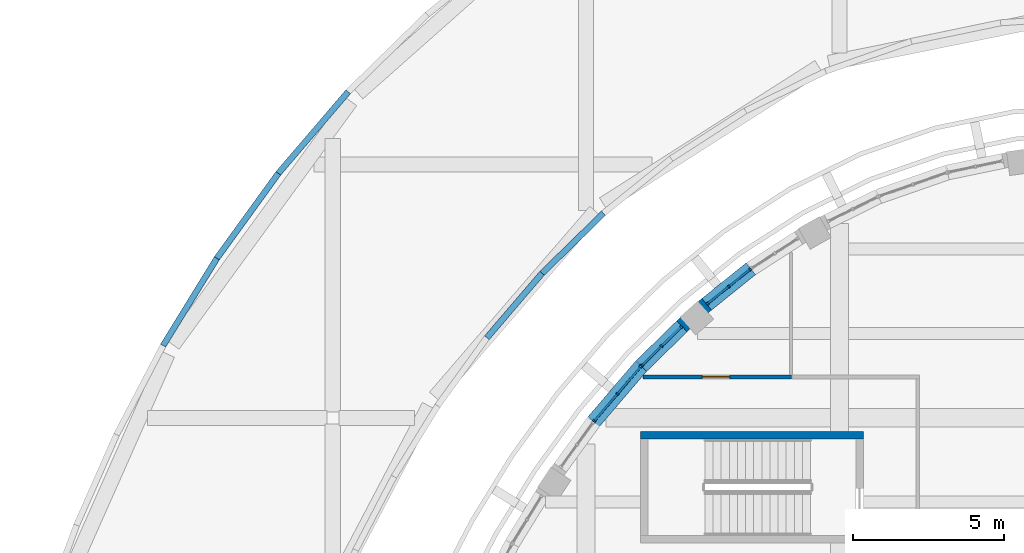
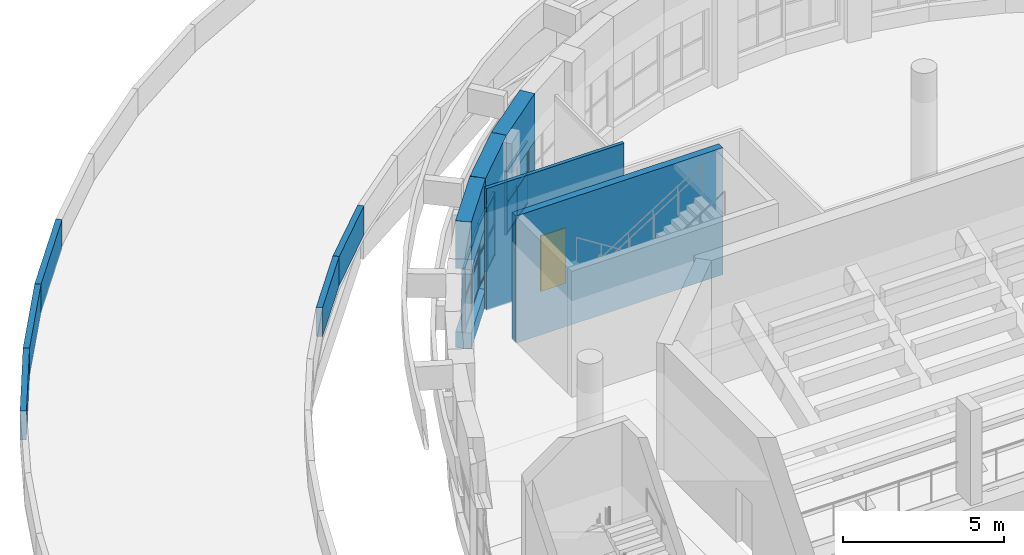
# One storey, part 30 of 79: 27 members, 12 plates, 10 walls, 1 door, 4 openings, 3 elements without a shape of their own.
"""IFC4 building model written with IfcOpenShell, lengths in metres."""

from ifc_helpers import new_model, si_unit, direction, frame, frame_2d, origin, origin_2d, place, context, subcontext, project, spatial, rectangle, extrude, material, layer, layer_set, material_profile, profile_set, type_object, element, fill, aggregate, save


model = new_model("IFC4")

# Units and contexts
model_context = context("Model", 3, precision=1e-05, world=origin(), true_north=direction((0.0, 1.0)))
body_context = subcontext(model_context, "Body", "Model", "MODEL_VIEW")
ifc_project = project(units=[si_unit("LENGTHUNIT", "METRE"), si_unit("AREAUNIT", "SQUARE_METRE"), si_unit("VOLUMEUNIT", "CUBIC_METRE"), si_unit("PLANEANGLEUNIT", "RADIAN"), si_unit("MASSUNIT", "GRAM", prefix="KILO")], contexts=[model_context])

# Site, building, storey
site_placement = place(None, origin())
site = spatial("IfcSite", under=ifc_project, at=site_placement, CompositionType="ELEMENT")
building_placement = place(site_placement, origin())
building = spatial("IfcBuilding", under=site, at=building_placement, Name="Larchfold Concert Hall", CompositionType="ELEMENT")
storey_placement = place(building_placement, frame((0.0, 0.0, 14.39990234375)))
storey = spatial("IfcBuildingStorey", under=building, at=storey_placement, Name="L03", CompositionType="ELEMENT", Elevation=14.39990234375)

# Curtain wall, members
ifc_material_1 = material(Name="Anodised graphite aluminium curtain wall", Category="aluminium")
ifc_layer_1 = layer(ifc_material_1, 0.10009765625)
ifc_layer_set_1 = layer_set([ifc_layer_1], Name="Anodised graphite aluminium curtain wall")
curtain_wall_type = type_object("IfcCurtainWallType", Name="Curtain wall GB", PredefinedType="NOTDEFINED", material=ifc_layer_set_1)
curtain_wall_1_placement = place(storey_placement, origin())
curtain_wall_1 = element("IfcCurtainWall", 1, at=curtain_wall_1_placement, inside=storey, type_object=curtain_wall_type, Name="Curtain wall CW0025", PredefinedType="NOTDEFINED")
ifc_material_2 = material(Name="Anodised graphite aluminium mullion", Category="aluminium")
ifc_material_profile_1 = material_profile(ifc_material_2, rectangle(XDim=0.10009765625, YDim=0.06005859375, at=origin_2d()))
ifc_profile_set_1 = profile_set([ifc_material_profile_1], Name="Anodised graphite aluminium mullion")
member_type_1 = type_object("IfcMemberType", Name="Aluminium mullion 60x100", PredefinedType="MULLION", material=ifc_profile_set_1)
member_1_placement = place(storey_placement, frame((31.24462890625, 114.725830078125, 0.60009765625), z_axis=(0.0, 0.0, 1.0), x_axis=(0.627017083295, -0.77900550528, 0.0)))
member_1 = element("IfcMember", 2, at=member_1_placement, type_object=member_type_1, Name="CW0025 mullion 1", PredefinedType="MULLION", context=body_context, shape_type="SweptSolid", body=[
    extrude(rectangle(XDim=0.10009765625, YDim=0.06005859375, at=origin_2d()), origin(), (0.0, 0.0, 1.0), 2.39990234375),
])
member_2_placement = place(storey_placement, frame((30.53466796875, 114.154296875, 0.60009765625), z_axis=(0.0, 0.0, 1.0), x_axis=(0.627017083295, -0.77900550528, 0.0)))
member_2 = element("IfcMember", 3, at=member_2_placement, type_object=member_type_1, Name="CW0025 mullion 2", PredefinedType="MULLION", context=body_context, shape_type="SweptSolid", body=[
    extrude(rectangle(XDim=0.10009765625, YDim=0.06005859375, at=origin_2d()), origin(), (0.0, 0.0, 1.0), 2.39990234375),
])
member_3_placement = place(storey_placement, frame((29.824951171875, 113.5830078125, 0.60009765625), z_axis=(0.0, 0.0, 1.0), x_axis=(0.627017083295, -0.77900550528, 0.0)))
member_3 = element("IfcMember", 4, at=member_3_placement, type_object=member_type_1, Name="CW0025 mullion 3", PredefinedType="MULLION", context=body_context, shape_type="SweptSolid", body=[
    extrude(rectangle(XDim=0.10009765625, YDim=0.06005859375, at=origin_2d()), origin(), (0.0, 0.0, 1.0), 2.39990234375),
])

curtain_wall_2_placement = place(storey_placement, origin())
curtain_wall_2 = element("IfcCurtainWall", 5, at=curtain_wall_2_placement, inside=storey, type_object=curtain_wall_type, Name="Curtain wall CW0026", PredefinedType="NOTDEFINED")
member_4_placement = place(storey_placement, frame((28.957275390625, 112.81298828125, 0.60009765625), z_axis=(0.0, 0.0, 1.0), x_axis=(0.699151518277, -0.714973534119, 0.0)))
member_4 = element("IfcMember", 6, at=member_4_placement, type_object=member_type_1, Name="CW0026 mullion 1", PredefinedType="MULLION", context=body_context, shape_type="SweptSolid", body=[
    extrude(rectangle(XDim=0.10009765625, YDim=0.06005859375, at=origin_2d()), origin(), (0.0, 0.0, 1.0), 2.39990234375),
])
member_5_placement = place(storey_placement, frame((28.305908203125, 112.17578125, 0.60009765625), z_axis=(0.0, 0.0, 1.0), x_axis=(0.699151518277, -0.714973534119, 0.0)))
member_5 = element("IfcMember", 7, at=member_5_placement, type_object=member_type_1, Name="CW0026 mullion 2", PredefinedType="MULLION", context=body_context, shape_type="SweptSolid", body=[
    extrude(rectangle(XDim=0.10009765625, YDim=0.06005859375, at=origin_2d()), origin(), (0.0, 0.0, 1.0), 2.39990234375),
])
member_6_placement = place(storey_placement, frame((27.654296875, 111.538818359375, 0.60009765625), z_axis=(0.0, 0.0, 1.0), x_axis=(0.699151518277, -0.714973534119, 0.0)))
member_6 = element("IfcMember", 8, at=member_6_placement, type_object=member_type_1, Name="CW0026 mullion 3", PredefinedType="MULLION", context=body_context, shape_type="SweptSolid", body=[
    extrude(rectangle(XDim=0.10009765625, YDim=0.06005859375, at=origin_2d()), origin(), (0.0, 0.0, 1.0), 2.39990234375),
])

curtain_wall_3_placement = place(storey_placement, origin())
curtain_wall_3 = element("IfcCurtainWall", 9, at=curtain_wall_3_placement, inside=storey, type_object=curtain_wall_type, Name="Curtain wall CW0027", PredefinedType="NOTDEFINED")
member_7_placement = place(storey_placement, frame((27.61328125, 111.4951171875, 0.60009765625), z_axis=(0.0, 0.0, 1.0), x_axis=(0.759483179881, -0.650526939856, 0.0)))
member_7 = element("IfcMember", 10, at=member_7_placement, type_object=member_type_1, Name="CW0027 mullion 1", PredefinedType="MULLION", context=body_context, shape_type="SweptSolid", body=[
    extrude(rectangle(XDim=0.10009765625, YDim=0.06005859375, at=origin_2d()), origin(), (0.0, 0.0, 1.0), 2.39990234375),
])
member_8_placement = place(storey_placement, frame((26.84130859375, 110.59375, 0.60009765625), z_axis=(0.0, 0.0, 1.0), x_axis=(0.759483179881, -0.650526939856, 0.0)))
member_8 = element("IfcMember", 11, at=member_8_placement, type_object=member_type_1, Name="CW0027 mullion 2", PredefinedType="MULLION", context=body_context, shape_type="SweptSolid", body=[
    extrude(rectangle(XDim=0.10009765625, YDim=0.06005859375, at=origin_2d()), origin(), (0.0, 0.0, 1.0), 2.39990234375),
])
member_9_placement = place(storey_placement, frame((26.0693359375, 109.6923828125, 0.60009765625), z_axis=(0.0, 0.0, 1.0), x_axis=(0.759483179881, -0.650526939856, 0.0)))
member_9 = element("IfcMember", 12, at=member_9_placement, type_object=member_type_1, Name="CW0027 mullion 3", PredefinedType="MULLION", context=body_context, shape_type="SweptSolid", body=[
    extrude(rectangle(XDim=0.10009765625, YDim=0.06005859375, at=origin_2d()), origin(), (0.0, 0.0, 1.0), 2.39990234375),
])

# Member
ifc_material_3 = material(Name="Anodised graphite aluminium transom", Category="aluminium")
ifc_material_profile_2 = material_profile(ifc_material_3, rectangle(XDim=0.080078125, YDim=0.06005859375, at=origin_2d()))
ifc_profile_set_2 = profile_set([ifc_material_profile_2], Name="Anodised graphite aluminium transom")
member_type_2 = type_object("IfcMemberType", Name="Aluminium transom 60x80", PredefinedType="USERDEFINED", material=ifc_profile_set_2)
member_10_placement = place(storey_placement, frame((31.221435546875, 114.70703125, 0.630126953125), z_axis=(-0.779131241364, -0.626860836813, 0.0), x_axis=(0.626860836813, -0.779131241364, 0.0)))
member_10 = element("IfcMember", 13, at=member_10_placement, type_object=member_type_2, Name="CW0025 transom 1.1", ObjectType="TRANSOM", PredefinedType="USERDEFINED", context=body_context, shape_type="SweptSolid", body=[
    extrude(rectangle(XDim=0.080078125, YDim=0.06005859375, at=origin_2d()), origin(), (0.0, 0.0, 1.0), 0.851318359375),
])

member_11_placement = place(storey_placement, frame((31.221435546875, 114.70703125, 1.800048828125), z_axis=(-0.779131241364, -0.626860836813, 0.0), x_axis=(0.626860836813, -0.779131241364, 0.0)))
member_11 = element("IfcMember", 14, at=member_11_placement, type_object=member_type_2, Name="CW0025 transom 1.2", ObjectType="TRANSOM", PredefinedType="USERDEFINED", context=body_context, shape_type="SweptSolid", body=[
    extrude(rectangle(XDim=0.080078125, YDim=0.06005859375, at=origin_2d()), origin(), (0.0, 0.0, 1.0), 0.851318359375),
])

member_12_placement = place(storey_placement, frame((31.221435546875, 114.70703125, 2.969970703125), z_axis=(-0.779131241364, -0.626860836813, 0.0), x_axis=(0.626860836813, -0.779131241364, 0.0)))
member_12 = element("IfcMember", 15, at=member_12_placement, type_object=member_type_2, Name="CW0025 transom 1.3", ObjectType="TRANSOM", PredefinedType="USERDEFINED", context=body_context, shape_type="SweptSolid", body=[
    extrude(rectangle(XDim=0.080078125, YDim=0.06005859375, at=origin_2d()), origin(), (0.0, 0.0, 1.0), 0.851318359375),
])

member_13_placement = place(storey_placement, frame((30.511474609375, 114.135498046875, 0.630126953125), z_axis=(-0.779131241364, -0.626860836813, 0.0), x_axis=(0.626860836813, -0.779131241364, 0.0)))
member_13 = element("IfcMember", 16, at=member_13_placement, type_object=member_type_2, Name="CW0025 transom 2.1", ObjectType="TRANSOM", PredefinedType="USERDEFINED", context=body_context, shape_type="SweptSolid", body=[
    extrude(rectangle(XDim=0.080078125, YDim=0.06005859375, at=origin_2d()), origin(), (0.0, 0.0, 1.0), 0.851318359375),
])

member_14_placement = place(storey_placement, frame((30.511474609375, 114.135498046875, 1.800048828125), z_axis=(-0.779131241364, -0.626860836813, 0.0), x_axis=(0.626860836813, -0.779131241364, 0.0)))
member_14 = element("IfcMember", 17, at=member_14_placement, type_object=member_type_2, Name="CW0025 transom 2.2", ObjectType="TRANSOM", PredefinedType="USERDEFINED", context=body_context, shape_type="SweptSolid", body=[
    extrude(rectangle(XDim=0.080078125, YDim=0.06005859375, at=origin_2d()), origin(), (0.0, 0.0, 1.0), 0.851318359375),
])

member_15_placement = place(storey_placement, frame((30.511474609375, 114.135498046875, 2.969970703125), z_axis=(-0.779131241364, -0.626860836813, 0.0), x_axis=(0.626860836813, -0.779131241364, 0.0)))
member_15 = element("IfcMember", 18, at=member_15_placement, type_object=member_type_2, Name="CW0025 transom 2.3", ObjectType="TRANSOM", PredefinedType="USERDEFINED", context=body_context, shape_type="SweptSolid", body=[
    extrude(rectangle(XDim=0.080078125, YDim=0.06005859375, at=origin_2d()), origin(), (0.0, 0.0, 1.0), 0.851318359375),
])

member_16_placement = place(storey_placement, frame((28.935791015625, 112.7919921875, 0.630126953125), z_axis=(-0.714949324544, -0.699176274865, 0.0), x_axis=(0.699176274865, -0.714949324544, 0.0)))
member_16 = element("IfcMember", 19, at=member_16_placement, type_object=member_type_2, Name="CW0026 transom 1.1", ObjectType="TRANSOM", PredefinedType="USERDEFINED", context=body_context, shape_type="SweptSolid", body=[
    extrude(rectangle(XDim=0.080078125, YDim=0.06005859375, at=origin_2d()), origin(), (0.0, 0.0, 1.0), 0.851318359375),
])

member_17_placement = place(storey_placement, frame((28.935791015625, 112.7919921875, 1.800048828125), z_axis=(-0.714949324544, -0.699176274865, 0.0), x_axis=(0.699176274865, -0.714949324544, 0.0)))
member_17 = element("IfcMember", 20, at=member_17_placement, type_object=member_type_2, Name="CW0026 transom 1.2", ObjectType="TRANSOM", PredefinedType="USERDEFINED", context=body_context, shape_type="SweptSolid", body=[
    extrude(rectangle(XDim=0.080078125, YDim=0.06005859375, at=origin_2d()), origin(), (0.0, 0.0, 1.0), 0.851318359375),
])

member_18_placement = place(storey_placement, frame((28.935791015625, 112.7919921875, 2.969970703125), z_axis=(-0.714949324544, -0.699176274865, 0.0), x_axis=(0.699176274865, -0.714949324544, 0.0)))
member_18 = element("IfcMember", 21, at=member_18_placement, type_object=member_type_2, Name="CW0026 transom 1.3", ObjectType="TRANSOM", PredefinedType="USERDEFINED", context=body_context, shape_type="SweptSolid", body=[
    extrude(rectangle(XDim=0.080078125, YDim=0.06005859375, at=origin_2d()), origin(), (0.0, 0.0, 1.0), 0.851318359375),
])

member_19_placement = place(storey_placement, frame((28.284423828125, 112.155029296875, 0.630126953125), z_axis=(-0.714949324544, -0.699176274865, 0.0), x_axis=(0.699176274865, -0.714949324544, 0.0)))
member_19 = element("IfcMember", 22, at=member_19_placement, type_object=member_type_2, Name="CW0026 transom 2.1", ObjectType="TRANSOM", PredefinedType="USERDEFINED", context=body_context, shape_type="SweptSolid", body=[
    extrude(rectangle(XDim=0.080078125, YDim=0.06005859375, at=origin_2d()), origin(), (0.0, 0.0, 1.0), 0.851318359375),
])

member_20_placement = place(storey_placement, frame((28.284423828125, 112.155029296875, 1.800048828125), z_axis=(-0.714949324544, -0.699176274865, 0.0), x_axis=(0.699176274865, -0.714949324544, 0.0)))
member_20 = element("IfcMember", 23, at=member_20_placement, type_object=member_type_2, Name="CW0026 transom 2.2", ObjectType="TRANSOM", PredefinedType="USERDEFINED", context=body_context, shape_type="SweptSolid", body=[
    extrude(rectangle(XDim=0.080078125, YDim=0.06005859375, at=origin_2d()), origin(), (0.0, 0.0, 1.0), 0.851318359375),
])

member_21_placement = place(storey_placement, frame((28.284423828125, 112.155029296875, 2.969970703125), z_axis=(-0.714949324544, -0.699176274865, 0.0), x_axis=(0.699176274865, -0.714949324544, 0.0)))
member_21 = element("IfcMember", 24, at=member_21_placement, type_object=member_type_2, Name="CW0026 transom 2.3", ObjectType="TRANSOM", PredefinedType="USERDEFINED", context=body_context, shape_type="SweptSolid", body=[
    extrude(rectangle(XDim=0.080078125, YDim=0.06005859375, at=origin_2d()), origin(), (0.0, 0.0, 1.0), 0.851318359375),
])

member_22_placement = place(storey_placement, frame((27.59375, 111.47216796875, 0.630126953125), z_axis=(-0.650505805434, -0.759501281827, 0.0), x_axis=(0.759501281827, -0.650505805434, 0.0)))
member_22 = element("IfcMember", 25, at=member_22_placement, type_object=member_type_2, Name="CW0027 transom 1.1", ObjectType="TRANSOM", PredefinedType="USERDEFINED", context=body_context, shape_type="SweptSolid", body=[
    extrude(rectangle(XDim=0.080078125, YDim=0.06005859375, at=origin_2d()), origin(), (0.0, 0.0, 1.0), 1.126708984375),
])

member_23_placement = place(storey_placement, frame((27.59375, 111.47216796875, 1.800048828125), z_axis=(-0.650505805434, -0.759501281827, 0.0), x_axis=(0.759501281827, -0.650505805434, 0.0)))
member_23 = element("IfcMember", 26, at=member_23_placement, type_object=member_type_2, Name="CW0027 transom 1.2", ObjectType="TRANSOM", PredefinedType="USERDEFINED", context=body_context, shape_type="SweptSolid", body=[
    extrude(rectangle(XDim=0.080078125, YDim=0.06005859375, at=origin_2d()), origin(), (0.0, 0.0, 1.0), 1.126708984375),
])

member_24_placement = place(storey_placement, frame((27.59375, 111.47216796875, 2.969970703125), z_axis=(-0.650505805434, -0.759501281827, 0.0), x_axis=(0.759501281827, -0.650505805434, 0.0)))
member_24 = element("IfcMember", 27, at=member_24_placement, type_object=member_type_2, Name="CW0027 transom 1.3", ObjectType="TRANSOM", PredefinedType="USERDEFINED", context=body_context, shape_type="SweptSolid", body=[
    extrude(rectangle(XDim=0.080078125, YDim=0.06005859375, at=origin_2d()), origin(), (0.0, 0.0, 1.0), 1.126708984375),
])

member_25_placement = place(storey_placement, frame((26.82177734375, 110.571044921875, 0.630126953125), z_axis=(-0.650505805434, -0.759501281827, 0.0), x_axis=(0.759501281827, -0.650505805434, 0.0)))
member_25 = element("IfcMember", 28, at=member_25_placement, type_object=member_type_2, Name="CW0027 transom 2.1", ObjectType="TRANSOM", PredefinedType="USERDEFINED", context=body_context, shape_type="SweptSolid", body=[
    extrude(rectangle(XDim=0.080078125, YDim=0.06005859375, at=origin_2d()), origin(), (0.0, 0.0, 1.0), 1.126708984375),
])

member_26_placement = place(storey_placement, frame((26.82177734375, 110.571044921875, 1.800048828125), z_axis=(-0.650505805434, -0.759501281827, 0.0), x_axis=(0.759501281827, -0.650505805434, 0.0)))
member_26 = element("IfcMember", 29, at=member_26_placement, type_object=member_type_2, Name="CW0027 transom 2.2", ObjectType="TRANSOM", PredefinedType="USERDEFINED", context=body_context, shape_type="SweptSolid", body=[
    extrude(rectangle(XDim=0.080078125, YDim=0.06005859375, at=origin_2d()), origin(), (0.0, 0.0, 1.0), 1.126708984375),
])

member_27_placement = place(storey_placement, frame((26.82177734375, 110.571044921875, 2.969970703125), z_axis=(-0.650505805434, -0.759501281827, 0.0), x_axis=(0.759501281827, -0.650505805434, 0.0)))
member_27 = element("IfcMember", 30, at=member_27_placement, type_object=member_type_2, Name="CW0027 transom 2.3", ObjectType="TRANSOM", PredefinedType="USERDEFINED", context=body_context, shape_type="SweptSolid", body=[
    extrude(rectangle(XDim=0.080078125, YDim=0.06005859375, at=origin_2d()), origin(), (0.0, 0.0, 1.0), 1.126708984375),
])

# Plate
ifc_material_4 = material(Name="Insulated glazing unit, glass", Category="glass")
ifc_layer_2 = layer(ifc_material_4, 0.02392578125)
ifc_layer_set_2 = layer_set([ifc_layer_2], Name="Insulated glazing unit, glass")
plate_type_1 = type_object("IfcPlateType", Name="Glass panel 24", PredefinedType="CURTAIN_PANEL", material=ifc_layer_set_2)
plate_1_placement = place(storey_placement, frame((30.8896484375, 114.440185546875, 1.830078125), z_axis=(0.0, 0.0, 1.0), x_axis=(-0.77900550528, -0.627017083295, 0.0)))
plate_1 = element("IfcPlate", 31, at=plate_1_placement, type_object=plate_type_1, Name="CW0025 panel 1.2", PredefinedType="CURTAIN_PANEL", context=body_context, shape_type="SweptSolid", body=[
    extrude(rectangle(XDim=0.851318359375, YDim=0.02392578125, at=origin_2d()), origin(), (0.0, 0.0, 1.0), 1.10986328125),
])

plate_2_placement = place(storey_placement, frame((30.179931640625, 113.86865234375, 1.830078125), z_axis=(0.0, 0.0, 1.0), x_axis=(-0.77900550528, -0.627017083295, 0.0)))
plate_2 = element("IfcPlate", 32, at=plate_2_placement, type_object=plate_type_1, Name="CW0025 panel 2.2", PredefinedType="CURTAIN_PANEL", context=body_context, shape_type="SweptSolid", body=[
    extrude(rectangle(XDim=0.851318359375, YDim=0.02392578125, at=origin_2d()), origin(), (0.0, 0.0, 1.0), 1.10986328125),
])

plate_3_placement = place(storey_placement, frame((28.631591796875, 112.494384765625, 1.830078125), z_axis=(0.0, 0.0, 1.0), x_axis=(-0.714973534119, -0.699151518277, 0.0)))
plate_3 = element("IfcPlate", 33, at=plate_3_placement, type_object=plate_type_1, Name="CW0026 panel 1.2", PredefinedType="CURTAIN_PANEL", context=body_context, shape_type="SweptSolid", body=[
    extrude(rectangle(XDim=0.851318359375, YDim=0.02392578125, at=origin_2d()), origin(), (0.0, 0.0, 1.0), 1.10986328125),
])

plate_4_placement = place(storey_placement, frame((27.97998046875, 111.857421875, 1.830078125), z_axis=(0.0, 0.0, 1.0), x_axis=(-0.714973534119, -0.699151518277, 0.0)))
plate_4 = element("IfcPlate", 34, at=plate_4_placement, type_object=plate_type_1, Name="CW0026 panel 2.2", PredefinedType="CURTAIN_PANEL", context=body_context, shape_type="SweptSolid", body=[
    extrude(rectangle(XDim=0.851318359375, YDim=0.02392578125, at=origin_2d()), origin(), (0.0, 0.0, 1.0), 1.10986328125),
])

plate_5_placement = place(storey_placement, frame((27.227294921875, 111.04443359375, 1.830078125), z_axis=(0.0, 0.0, 1.0), x_axis=(-0.650526939856, -0.759483179881, 0.0)))
plate_5 = element("IfcPlate", 35, at=plate_5_placement, type_object=plate_type_1, Name="CW0027 panel 1.2", PredefinedType="CURTAIN_PANEL", context=body_context, shape_type="SweptSolid", body=[
    extrude(rectangle(XDim=1.126708984375, YDim=0.02392578125, at=origin_2d()), origin(), (0.0, 0.0, 1.0), 1.10986328125),
])

plate_6_placement = place(storey_placement, frame((26.455322265625, 110.14306640625, 1.830078125), z_axis=(0.0, 0.0, 1.0), x_axis=(-0.650526939856, -0.759483179881, 0.0)))
plate_6 = element("IfcPlate", 36, at=plate_6_placement, type_object=plate_type_1, Name="CW0027 panel 2.2", PredefinedType="CURTAIN_PANEL", context=body_context, shape_type="SweptSolid", body=[
    extrude(rectangle(XDim=1.126708984375, YDim=0.02392578125, at=origin_2d()), origin(), (0.0, 0.0, 1.0), 1.10986328125),
])

ifc_material_5 = material(Name="White insulated panel")
ifc_layer_3 = layer(ifc_material_5, 0.050048828125)
ifc_layer_set_3 = layer_set([ifc_layer_3], Name="White insulated panel")
plate_type_2 = type_object("IfcPlateType", Name="Insulated spandrel panel 50", PredefinedType="CURTAIN_PANEL", material=ifc_layer_set_3)
plate_7_placement = place(storey_placement, frame((30.8896484375, 114.440185546875, 0.66015625), z_axis=(0.0, 0.0, 1.0), x_axis=(-0.77900550528, -0.627017083295, 0.0)))
plate_7 = element("IfcPlate", 37, at=plate_7_placement, type_object=plate_type_2, Name="CW0025 panel 1.1", PredefinedType="CURTAIN_PANEL", context=body_context, shape_type="SweptSolid", body=[
    extrude(rectangle(XDim=0.851318359375, YDim=0.050048828125, at=origin_2d()), origin(), (0.0, 0.0, 1.0), 1.10986328125),
])

plate_8_placement = place(storey_placement, frame((30.179931640625, 113.86865234375, 0.66015625), z_axis=(0.0, 0.0, 1.0), x_axis=(-0.77900550528, -0.627017083295, 0.0)))
plate_8 = element("IfcPlate", 38, at=plate_8_placement, type_object=plate_type_2, Name="CW0025 panel 2.1", PredefinedType="CURTAIN_PANEL", context=body_context, shape_type="SweptSolid", body=[
    extrude(rectangle(XDim=0.851318359375, YDim=0.050048828125, at=origin_2d()), origin(), (0.0, 0.0, 1.0), 1.10986328125),
])

aggregate(curtain_wall_1, [member_1, member_2, member_3, member_10, member_11, member_12, plate_7, plate_1, member_13, member_14, member_15, plate_8, plate_2])

plate_9_placement = place(storey_placement, frame((28.631591796875, 112.494384765625, 0.66015625), z_axis=(0.0, 0.0, 1.0), x_axis=(-0.714973534119, -0.699151518277, 0.0)))
plate_9 = element("IfcPlate", 39, at=plate_9_placement, type_object=plate_type_2, Name="CW0026 panel 1.1", PredefinedType="CURTAIN_PANEL", context=body_context, shape_type="SweptSolid", body=[
    extrude(rectangle(XDim=0.851318359375, YDim=0.050048828125, at=origin_2d()), origin(), (0.0, 0.0, 1.0), 1.10986328125),
])

plate_10_placement = place(storey_placement, frame((27.97998046875, 111.857421875, 0.66015625), z_axis=(0.0, 0.0, 1.0), x_axis=(-0.714973534119, -0.699151518277, 0.0)))
plate_10 = element("IfcPlate", 40, at=plate_10_placement, type_object=plate_type_2, Name="CW0026 panel 2.1", PredefinedType="CURTAIN_PANEL", context=body_context, shape_type="SweptSolid", body=[
    extrude(rectangle(XDim=0.851318359375, YDim=0.050048828125, at=origin_2d()), origin(), (0.0, 0.0, 1.0), 1.10986328125),
])

aggregate(curtain_wall_2, [member_4, member_5, member_6, member_16, member_17, member_18, plate_9, plate_3, member_19, member_20, member_21, plate_10, plate_4])

plate_11_placement = place(storey_placement, frame((27.227294921875, 111.04443359375, 0.66015625), z_axis=(0.0, 0.0, 1.0), x_axis=(-0.650526939856, -0.759483179881, 0.0)))
plate_11 = element("IfcPlate", 41, at=plate_11_placement, type_object=plate_type_2, Name="CW0027 panel 1.1", PredefinedType="CURTAIN_PANEL", context=body_context, shape_type="SweptSolid", body=[
    extrude(rectangle(XDim=1.126708984375, YDim=0.050048828125, at=origin_2d()), origin(), (0.0, 0.0, 1.0), 1.10986328125),
])

plate_12_placement = place(storey_placement, frame((26.455322265625, 110.14306640625, 0.66015625), z_axis=(0.0, 0.0, 1.0), x_axis=(-0.650526939856, -0.759483179881, 0.0)))
plate_12 = element("IfcPlate", 42, at=plate_12_placement, type_object=plate_type_2, Name="CW0027 panel 2.1", PredefinedType="CURTAIN_PANEL", context=body_context, shape_type="SweptSolid", body=[
    extrude(rectangle(XDim=1.126708984375, YDim=0.050048828125, at=origin_2d()), origin(), (0.0, 0.0, 1.0), 1.10986328125),
])

aggregate(curtain_wall_3, [member_7, member_8, member_9, member_22, member_23, member_24, plate_11, plate_5, member_25, member_26, member_27, plate_12, plate_6])

# Wall, opening, door
ifc_material_6 = material(Name="Plasterboard partition on steel studs", Category="steel")
ifc_layer_4 = layer(ifc_material_6, 0.125)
ifc_layer_set_4 = layer_set([ifc_layer_4], Name="Plasterboard partition on steel studs")
wall_type_1 = type_object("IfcWallType", Name="Corridor partition 125 EI 60", PredefinedType="PARTITIONING", material=ifc_layer_set_4)
wall_1_placement = place(storey_placement, frame((27.69091796875, 111.14892578125, 0.0), z_axis=(0.0, 0.0, 1.0), x_axis=(1.0, 0.0, 0.0)))
wall_1 = element("IfcWall", 43, at=wall_1_placement, inside=storey, type_object=wall_type_1, Name="Partition IW0001", PredefinedType="PARTITIONING", context=body_context, shape_type="SweptSolid", body=[
    extrude(rectangle(XDim=4.92919921875, YDim=0.125, at=frame_2d((2.464599609375, 0.0))), origin(), (0.0, 0.0, 1.0), 4.60009765625),
])
opening_1_placement = place(wall_1_placement, frame((1.969970703125, 0.0, 0.0)))
opening_1 = element("IfcOpeningElement", 44, at=opening_1_placement, cuts=wall_1, Name="Opening D-L03-103", PredefinedType="OPENING", context=body_context, shape_type="SweptSolid", body=[
    extrude(rectangle(XDim=0.89990234375, YDim=2.10009765625, at=frame_2d((0.449951171875, 1.050048828125))), frame((0.0, 0.072509765625, 0.0), z_axis=(0.0, -1.0, 0.0), x_axis=(1.0, 0.0, 0.0)), (0.0, 0.0, 1.0), 0.14501953125),
])
ifc_material_7 = material(Name="Timber door leaf", Category="wood")
door_type = type_object("IfcDoorType", Name="Public toilet door 900 x 2100 FD30S", OperationType="SINGLE_SWING_LEFT", PredefinedType="DOOR", material=ifc_material_7)
door_placement = place(opening_1_placement, origin())
door = element("IfcDoor", 45, at=door_placement, inside=storey, type_object=door_type, Name="Door D-L03-103", OperationType="SINGLE_SWING_RIGHT", OverallHeight=2.10009765625, OverallWidth=0.89990234375, PredefinedType="DOOR", context=body_context, shape_type="SweptSolid", body=[
    extrude(rectangle(XDim=0.89990234375, YDim=2.10009765625, at=frame_2d((0.449951171875, 1.050048828125))), frame((0.0, 0.02490234375, 0.0), z_axis=(0.0, -1.0, 0.0), x_axis=(1.0, 0.0, 0.0)), (0.0, 0.0, 1.0), 0.050048828125),
])
fill(opening_1, door)

# Walls
ifc_material_8 = material(Name="White render on insulated block")
ifc_layer_5 = layer(ifc_material_8, 0.199951171875)
ifc_layer_set_5 = layer_set([ifc_layer_5], Name="White render on insulated block")
wall_type_2 = type_object("IfcWallType", Name="Roof parapet 200", PredefinedType="PARAPET", material=ifc_layer_set_5)
wall_2_placement = place(storey_placement, frame((22.510498046875, 112.45458984375, 0.0), z_axis=(0.0, 0.0, 1.0), x_axis=(0.650448482504, 0.759550374635, 0.0)))
element("IfcWall", 46, at=wall_2_placement, inside=storey, type_object=wall_type_2, Name="Parapet PW0032", PredefinedType="PARAPET", context=body_context, shape_type="SweptSolid", body=[
    extrude(rectangle(XDim=2.815185546875, YDim=0.199951171875, at=frame_2d((1.40771484375, 0.0))), origin(), (0.0, 0.0, 1.0), 1.10009765625),
])
wall_3_placement = place(storey_placement, frame((24.341552734375, 114.5927734375, 0.0), z_axis=(0.0, 0.0, 1.0), x_axis=(0.714903860366, 0.699222761667, 0.0)))
element("IfcWall", 47, at=wall_3_placement, inside=storey, type_object=wall_type_2, Name="Parapet PW0033", PredefinedType="PARAPET", context=body_context, shape_type="SweptSolid", body=[
    extrude(rectangle(XDim=2.84912109375, YDim=0.199951171875, at=frame_2d((1.424560546875, 0.0))), origin(), (0.0, 0.0, 1.0), 1.10009765625),
])
wall_4_placement = place(storey_placement, frame((17.910888671875, 120.613037109375, 0.0), z_axis=(0.0, 0.0, 1.0), x_axis=(-0.650480888569, -0.759522622182, 0.0)))
element("IfcWall", 48, at=wall_4_placement, inside=storey, type_object=wall_type_2, Name="Parapet PW0050", PredefinedType="PARAPET", context=body_context, shape_type="SweptSolid", body=[
    extrude(rectangle(XDim=3.562255859375, YDim=0.199951171875, at=frame_2d((1.78125, 0.0))), origin(), (0.0, 0.0, 1.0), 1.10009765625),
])
wall_5_placement = place(storey_placement, frame((15.59375, 117.907470703125, 0.0), z_axis=(0.0, 0.0, 1.0), x_axis=(-0.586541591584, -0.8099191079, 0.0)))
element("IfcWall", 49, at=wall_5_placement, inside=storey, type_object=wall_type_2, Name="Parapet PW0051", PredefinedType="PARAPET", context=body_context, shape_type="SweptSolid", body=[
    extrude(rectangle(XDim=3.4755859375, YDim=0.199951171875, at=frame_2d((1.73779296875, 0.0))), origin(), (0.0, 0.0, 1.0), 1.10009765625),
])
wall_6_placement = place(storey_placement, frame((13.55517578125, 115.092529296875, 0.0), z_axis=(0.0, 0.0, 1.0), x_axis=(-0.524009288501, -0.851712548671, 0.0)))
element("IfcWall", 50, at=wall_6_placement, inside=storey, type_object=wall_type_2, Name="Parapet PW0052", PredefinedType="PARAPET", context=body_context, shape_type="SweptSolid", body=[
    extrude(rectangle(XDim=3.400146484375, YDim=0.199951171875, at=frame_2d((1.7001953125, 0.0))), origin(), (0.0, 0.0, 1.0), 1.10009765625),
])
ifc_material_9 = material(Name="Concrete C40/50", Category="concrete")
ifc_layer_6 = layer(ifc_material_9, 0.25)
ifc_layer_set_6 = layer_set([ifc_layer_6], Name="Concrete C40/50")
wall_type_3 = type_object("IfcWallType", Name="Wall RC 250 stair core", PredefinedType="SOLIDWALL", material=ifc_layer_set_6)
wall_7_placement = place(storey_placement, frame((27.60009765625, 109.22509765625, 0.0), z_axis=(0.0, 0.0, 1.0), x_axis=(1.0, 0.0, 0.0)))
element("IfcWall", 51, at=wall_7_placement, inside=storey, type_object=wall_type_3, Name="Wall W0039", PredefinedType="SOLIDWALL", context=body_context, shape_type="SweptSolid", body=[
    extrude(rectangle(XDim=7.39990234375, YDim=0.25, at=frame_2d((3.699951171875, 0.0))), origin(), (0.0, 0.0, 1.0), 4.800048828125),
])

# Wall, opening
ifc_material_10 = material(Name="Concrete C30/37", Category="concrete")
ifc_layer_7 = layer(ifc_material_10, 0.5)
ifc_layer_set_7 = layer_set([ifc_layer_7], Name="Concrete C30/37")
wall_type_4 = type_object("IfcWallType", Name="Wall RC 500 drum facade", PredefinedType="SOLIDWALL", material=ifc_layer_set_7)
wall_8_placement = place(storey_placement, frame((31.26806640625, 114.74462890625, 0.0), z_axis=(0.0, 0.0, 1.0), x_axis=(-0.779015271296, -0.627004949811, 0.0)))
wall_8 = element("IfcWall", 52, at=wall_8_placement, inside=storey, type_object=wall_type_4, Name="Wall DW025", PredefinedType="SOLIDWALL", context=body_context, shape_type="SweptSolid", body=[
    extrude(rectangle(XDim=2.43310546875, YDim=0.5, at=frame_2d((1.216552734375, 0.0))), origin(), (0.0, 0.0, 1.0), 4.800048828125),
])
opening_2_placement = place(wall_8_placement, frame((0.0, 0.0, 0.60009765625)))
opening_2 = element("IfcOpeningElement", 53, at=opening_2_placement, cuts=wall_8, Name="Opening CW0025", PredefinedType="OPENING", context=body_context, shape_type="SweptSolid", body=[
    extrude(rectangle(XDim=1.882568359375, YDim=2.39990234375, at=frame_2d((0.94140625, 1.199951171875))), frame((0.0, 0.260009765625, 0.0), z_axis=(0.0, -1.0, 0.0), x_axis=(1.0, 0.0, 0.0)), (0.0, 0.0, 1.0), 0.52001953125),
])

fill(opening_2, curtain_wall_1)

wall_9_placement = place(storey_placement, frame((29.37255859375, 113.218994140625, 0.0), z_axis=(0.0, 0.0, 1.0), x_axis=(-0.71498883591, -0.69913586986, 0.0)))
wall_9 = element("IfcWall", 54, at=wall_9_placement, inside=storey, type_object=wall_type_4, Name="Wall DW026", PredefinedType="SOLIDWALL", context=body_context, shape_type="SweptSolid", body=[
    extrude(rectangle(XDim=2.433349609375, YDim=0.5, at=frame_2d((1.216796875, 0.0))), origin(), (0.0, 0.0, 1.0), 4.800048828125),
])
opening_3_placement = place(wall_9_placement, frame((0.55078125, 0.0, 0.60009765625)))
opening_3 = element("IfcOpeningElement", 55, at=opening_3_placement, cuts=wall_9, Name="Opening CW0026", PredefinedType="OPENING", context=body_context, shape_type="SweptSolid", body=[
    extrude(rectangle(XDim=1.882568359375, YDim=2.39990234375, at=frame_2d((0.94140625, 1.199951171875))), frame((0.0, 0.260009765625, 0.0), z_axis=(0.0, -1.0, 0.0), x_axis=(1.0, 0.0, 0.0)), (0.0, 0.0, 1.0), 0.52001953125),
])

fill(opening_3, curtain_wall_2)

wall_10_placement = place(storey_placement, frame((27.6328125, 111.517822265625, 0.0), z_axis=(0.0, 0.0, 1.0), x_axis=(-0.650526940133, -0.759483179643, 0.0)))
wall_10 = element("IfcWall", 56, at=wall_10_placement, inside=storey, type_object=wall_type_4, Name="Wall DW027", PredefinedType="SOLIDWALL", context=body_context, shape_type="SweptSolid", body=[
    extrude(rectangle(XDim=2.433349609375, YDim=0.5, at=frame_2d((1.216796875, 0.0))), origin(), (0.0, 0.0, 1.0), 4.800048828125),
])
opening_4_placement = place(wall_10_placement, frame((0.0, 0.0, 0.60009765625)))
opening_4 = element("IfcOpeningElement", 57, at=opening_4_placement, cuts=wall_10, Name="Opening CW0027", PredefinedType="OPENING", context=body_context, shape_type="SweptSolid", body=[
    extrude(rectangle(XDim=2.433349609375, YDim=2.39990234375, at=frame_2d((1.216796875, 1.199951171875))), frame((0.0, 0.260009765625, 0.0), z_axis=(0.0, -1.0, 0.0), x_axis=(1.0, 0.0, 0.0)), (0.0, 0.0, 1.0), 0.52001953125),
])

fill(opening_4, curtain_wall_3)

save(model, "model.ifc")
